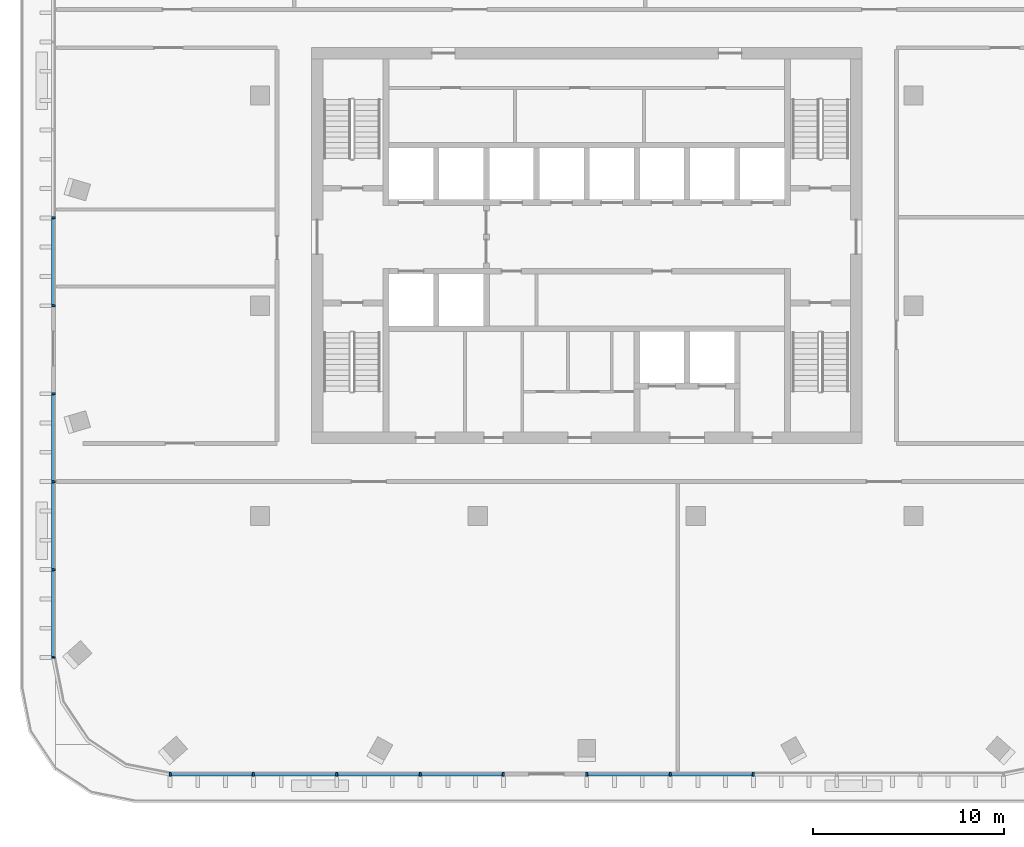
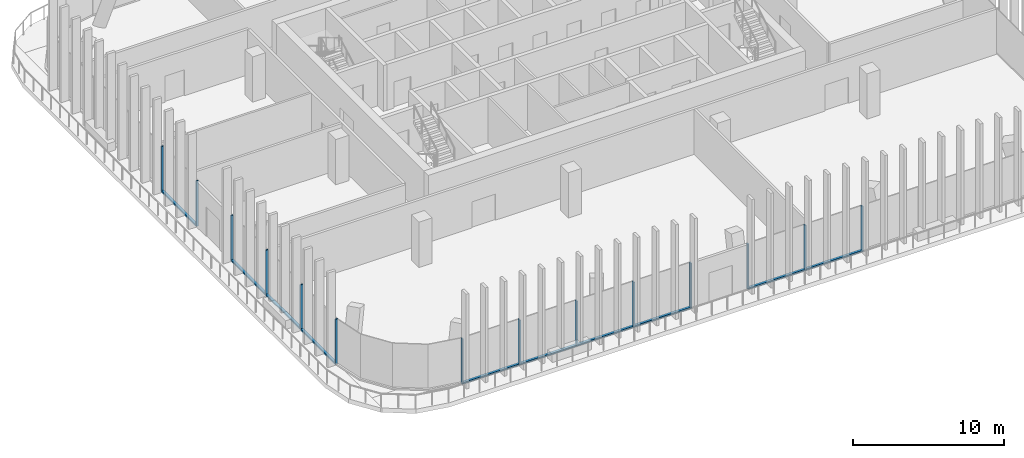
# One storey, part 2 of 16: 24 members, 4 elements without a shape of their own.
"""IFC4 building model written with IfcOpenShell, lengths in metres."""

from ifc_helpers import new_model, si_unit, direction, frame, origin, origin_2d, place, context, subcontext, project, spatial, rectangle, extrude, material, material_profile, profile_set, type_object, element, aggregate, save


model = new_model("IFC4")

# Units and contexts
model_context = context("Model", 3, precision=1e-05, world=origin(), true_north=direction((0.0, 1.0)))
body_context = subcontext(model_context, "Body", "Model", "MODEL_VIEW")
ifc_project = project(units=[si_unit("LENGTHUNIT", "METRE"), si_unit("AREAUNIT", "SQUARE_METRE"), si_unit("VOLUMEUNIT", "CUBIC_METRE"), si_unit("PLANEANGLEUNIT", "RADIAN"), si_unit("MASSUNIT", "GRAM", prefix="KILO")], contexts=[model_context])

# Site, building, storey
site_placement = place(None, origin())
site = spatial("IfcSite", under=ifc_project, at=site_placement, CompositionType="ELEMENT")
building_placement = place(site_placement, origin())
building = spatial("IfcBuilding", under=site, at=building_placement, Name="Mopane Tessera Tower", CompositionType="ELEMENT")
storey_placement = place(building_placement, frame((0.0, 0.0, 321.39990234375)))
storey = spatial("IfcBuildingStorey", under=building, at=storey_placement, Name="L70", CompositionType="ELEMENT", Elevation=321.39990234375)

# Curtain wall, members
ifc_material_1 = material(Name="Aluminium frame", Category="aluminium")
curtain_wall_type = type_object("IfcCurtainWallType", Name="Unitised curtain wall", PredefinedType="NOTDEFINED", material=ifc_material_1)
curtain_wall_1_placement = place(storey_placement, origin())
curtain_wall_1 = element("IfcCurtainWall", 1, at=curtain_wall_1_placement, inside=storey, type_object=curtain_wall_type, Name="e:cw:L70:S:0", PredefinedType="NOTDEFINED")
ifc_material_2 = material(Name="Aluminium frame", Category="aluminium")
ifc_material_profile_1 = material_profile(ifc_material_2, rectangle(XDim=0.10009765625, YDim=0.199951171875, at=origin_2d()))
ifc_profile_set_1 = profile_set([ifc_material_profile_1], Name="Aluminium frame")
member_type_1 = type_object("IfcMemberType", Name="Aluminium mullion 100 x 200", PredefinedType="MULLION", material=ifc_profile_set_1)
member_1_placement = place(storey_placement, frame((-21.800048828125, -24.5, 0.0), z_axis=(0.0, 0.0, 1.0), x_axis=(1.0, 0.0, 0.0)))
member_1 = element("IfcMember", 2, at=member_1_placement, type_object=member_type_1, Name="e:cw:L70:S:0:mu0", PredefinedType="MULLION", context=body_context, shape_type="SweptSolid", body=[
    extrude(rectangle(XDim=0.10009765625, YDim=0.199951171875, at=origin_2d()), origin(), (0.0, 0.0, 1.0), 3.650146484375),
])
member_2_placement = place(storey_placement, frame((-17.43994140625, -24.5, 0.0), z_axis=(0.0, 0.0, 1.0), x_axis=(1.0, 0.0, 0.0)))
member_2 = element("IfcMember", 3, at=member_2_placement, type_object=member_type_1, Name="e:cw:L70:S:0:mu1", PredefinedType="MULLION", context=body_context, shape_type="SweptSolid", body=[
    extrude(rectangle(XDim=0.10009765625, YDim=0.199951171875, at=origin_2d()), origin(), (0.0, 0.0, 1.0), 3.650146484375),
])
member_3_placement = place(storey_placement, frame((-13.080078125, -24.5, 0.0), z_axis=(0.0, 0.0, 1.0), x_axis=(1.0, 0.0, 0.0)))
member_3 = element("IfcMember", 4, at=member_3_placement, type_object=member_type_1, Name="e:cw:L70:S:0:mu2", PredefinedType="MULLION", context=body_context, shape_type="SweptSolid", body=[
    extrude(rectangle(XDim=0.10009765625, YDim=0.199951171875, at=origin_2d()), origin(), (0.0, 0.0, 1.0), 3.650146484375),
])
member_4_placement = place(storey_placement, frame((-8.719970703125, -24.5, 0.0), z_axis=(0.0, 0.0, 1.0), x_axis=(1.0, 0.0, 0.0)))
member_4 = element("IfcMember", 5, at=member_4_placement, type_object=member_type_1, Name="e:cw:L70:S:0:mu3", PredefinedType="MULLION", context=body_context, shape_type="SweptSolid", body=[
    extrude(rectangle(XDim=0.10009765625, YDim=0.199951171875, at=origin_2d()), origin(), (0.0, 0.0, 1.0), 3.650146484375),
])
member_5_placement = place(storey_placement, frame((-4.360107421875, -24.5, 0.0), z_axis=(0.0, 0.0, 1.0), x_axis=(1.0, 0.0, 0.0)))
member_5 = element("IfcMember", 6, at=member_5_placement, type_object=member_type_1, Name="e:cw:L70:S:0:mu4", PredefinedType="MULLION", context=body_context, shape_type="SweptSolid", body=[
    extrude(rectangle(XDim=0.10009765625, YDim=0.199951171875, at=origin_2d()), origin(), (0.0, 0.0, 1.0), 3.650146484375),
])

curtain_wall_2_placement = place(storey_placement, origin())
curtain_wall_2 = element("IfcCurtainWall", 7, at=curtain_wall_2_placement, inside=storey, type_object=curtain_wall_type, Name="e:cw:L70:S:5", PredefinedType="NOTDEFINED")
member_6_placement = place(storey_placement, frame((0.0, -24.5, 0.0), z_axis=(0.0, 0.0, 1.0), x_axis=(1.0, 0.0, 0.0)))
member_6 = element("IfcMember", 8, at=member_6_placement, type_object=member_type_1, Name="e:cw:L70:S:5:mu5", PredefinedType="MULLION", context=body_context, shape_type="SweptSolid", body=[
    extrude(rectangle(XDim=0.10009765625, YDim=0.199951171875, at=origin_2d()), origin(), (0.0, 0.0, 1.0), 3.650146484375),
])
member_7_placement = place(storey_placement, frame((4.360107421875, -24.5, 0.0), z_axis=(0.0, 0.0, 1.0), x_axis=(1.0, 0.0, 0.0)))
member_7 = element("IfcMember", 9, at=member_7_placement, type_object=member_type_1, Name="e:cw:L70:S:5:mu6", PredefinedType="MULLION", context=body_context, shape_type="SweptSolid", body=[
    extrude(rectangle(XDim=0.10009765625, YDim=0.199951171875, at=origin_2d()), origin(), (0.0, 0.0, 1.0), 3.650146484375),
])
member_8_placement = place(storey_placement, frame((8.719970703125, -24.5, 0.0), z_axis=(0.0, 0.0, 1.0), x_axis=(1.0, 0.0, 0.0)))
member_8 = element("IfcMember", 10, at=member_8_placement, type_object=member_type_1, Name="e:cw:L70:S:5:mu7", PredefinedType="MULLION", context=body_context, shape_type="SweptSolid", body=[
    extrude(rectangle(XDim=0.10009765625, YDim=0.199951171875, at=origin_2d()), origin(), (0.0, 0.0, 1.0), 3.650146484375),
])

curtain_wall_3_placement = place(storey_placement, origin())
curtain_wall_3 = element("IfcCurtainWall", 11, at=curtain_wall_3_placement, inside=storey, type_object=curtain_wall_type, Name="e:cw:L70:W:0", PredefinedType="NOTDEFINED")
member_9_placement = place(storey_placement, frame((-27.89990234375, 4.60009765625, 0.0), z_axis=(0.0, 0.0, 1.0), x_axis=(0.0, -1.0, 0.0)))
member_9 = element("IfcMember", 12, at=member_9_placement, type_object=member_type_1, Name="e:cw:L70:W:0:mu3", PredefinedType="MULLION", context=body_context, shape_type="SweptSolid", body=[
    extrude(rectangle(XDim=0.10009765625, YDim=0.199951171875, at=origin_2d()), origin(), (0.0, 0.0, 1.0), 3.650146484375),
])
member_10_placement = place(storey_placement, frame((-27.89990234375, 0.0, 0.0), z_axis=(0.0, 0.0, 1.0), x_axis=(0.0, -1.0, 0.0)))
member_10 = element("IfcMember", 13, at=member_10_placement, type_object=member_type_1, Name="e:cw:L70:W:0:mu4", PredefinedType="MULLION", context=body_context, shape_type="SweptSolid", body=[
    extrude(rectangle(XDim=0.10009765625, YDim=0.199951171875, at=origin_2d()), origin(), (0.0, 0.0, 1.0), 3.650146484375),
])

curtain_wall_4_placement = place(storey_placement, origin())
curtain_wall_4 = element("IfcCurtainWall", 14, at=curtain_wall_4_placement, inside=storey, type_object=curtain_wall_type, Name="e:cw:L70:W:5", PredefinedType="NOTDEFINED")
member_11_placement = place(storey_placement, frame((-27.89990234375, -4.60009765625, 0.0), z_axis=(0.0, 0.0, 1.0), x_axis=(0.0, -1.0, 0.0)))
member_11 = element("IfcMember", 15, at=member_11_placement, type_object=member_type_1, Name="e:cw:L70:W:5:mu5", PredefinedType="MULLION", context=body_context, shape_type="SweptSolid", body=[
    extrude(rectangle(XDim=0.10009765625, YDim=0.199951171875, at=origin_2d()), origin(), (0.0, 0.0, 1.0), 3.650146484375),
])
member_12_placement = place(storey_placement, frame((-27.89990234375, -9.199951171875, 0.0), z_axis=(0.0, 0.0, 1.0), x_axis=(0.0, -1.0, 0.0)))
member_12 = element("IfcMember", 16, at=member_12_placement, type_object=member_type_1, Name="e:cw:L70:W:5:mu6", PredefinedType="MULLION", context=body_context, shape_type="SweptSolid", body=[
    extrude(rectangle(XDim=0.10009765625, YDim=0.199951171875, at=origin_2d()), origin(), (0.0, 0.0, 1.0), 3.650146484375),
])
member_13_placement = place(storey_placement, frame((-27.89990234375, -13.800048828125, 0.0), z_axis=(0.0, 0.0, 1.0), x_axis=(0.0, -1.0, 0.0)))
member_13 = element("IfcMember", 17, at=member_13_placement, type_object=member_type_1, Name="e:cw:L70:W:5:mu7", PredefinedType="MULLION", context=body_context, shape_type="SweptSolid", body=[
    extrude(rectangle(XDim=0.10009765625, YDim=0.199951171875, at=origin_2d()), origin(), (0.0, 0.0, 1.0), 3.650146484375),
])
member_14_placement = place(storey_placement, frame((-27.89990234375, -18.39990234375, 0.0), z_axis=(0.0, 0.0, 1.0), x_axis=(0.0, -1.0, 0.0)))
member_14 = element("IfcMember", 18, at=member_14_placement, type_object=member_type_1, Name="e:cw:L70:W:5:mu8", PredefinedType="MULLION", context=body_context, shape_type="SweptSolid", body=[
    extrude(rectangle(XDim=0.10009765625, YDim=0.199951171875, at=origin_2d()), origin(), (0.0, 0.0, 1.0), 3.650146484375),
])

# Member
ifc_material_3 = material(Name="Aluminium frame", Category="aluminium")
ifc_material_profile_2 = material_profile(ifc_material_3, rectangle(XDim=0.199951171875, YDim=0.1201171875, at=origin_2d()))
ifc_profile_set_2 = profile_set([ifc_material_profile_2], Name="Aluminium frame")
member_type_2 = type_object("IfcMemberType", Name="Aluminium transom 200 x 120", PredefinedType="USERDEFINED", material=ifc_profile_set_2)
member_15_placement = place(storey_placement, frame((-21.75, -24.5, 0.06005859375), z_axis=(1.0, 0.0, 0.0), x_axis=(0.0, 1.0, 0.0)))
member_15 = element("IfcMember", 19, at=member_15_placement, type_object=member_type_2, Name="e:cw:L70:S:0:tr0", ObjectType="TRANSOM", PredefinedType="USERDEFINED", context=body_context, shape_type="SweptSolid", body=[
    extrude(rectangle(XDim=0.199951171875, YDim=0.1201171875, at=origin_2d()), origin(), (0.0, 0.0, 1.0), 4.260009765625),
])

member_16_placement = place(storey_placement, frame((-17.389892578125, -24.5, 0.06005859375), z_axis=(1.0, 0.0, 0.0), x_axis=(0.0, 1.0, 0.0)))
member_16 = element("IfcMember", 20, at=member_16_placement, type_object=member_type_2, Name="e:cw:L70:S:0:tr1", ObjectType="TRANSOM", PredefinedType="USERDEFINED", context=body_context, shape_type="SweptSolid", body=[
    extrude(rectangle(XDim=0.199951171875, YDim=0.1201171875, at=origin_2d()), origin(), (0.0, 0.0, 1.0), 4.260009765625),
])

member_17_placement = place(storey_placement, frame((-13.030029296875, -24.5, 0.06005859375), z_axis=(1.0, 0.0, 0.0), x_axis=(0.0, 1.0, 0.0)))
member_17 = element("IfcMember", 21, at=member_17_placement, type_object=member_type_2, Name="e:cw:L70:S:0:tr2", ObjectType="TRANSOM", PredefinedType="USERDEFINED", context=body_context, shape_type="SweptSolid", body=[
    extrude(rectangle(XDim=0.199951171875, YDim=0.1201171875, at=origin_2d()), origin(), (0.0, 0.0, 1.0), 4.260009765625),
])

member_18_placement = place(storey_placement, frame((-8.669921875, -24.5, 0.06005859375), z_axis=(1.0, 0.0, 0.0), x_axis=(0.0, 1.0, 0.0)))
member_18 = element("IfcMember", 22, at=member_18_placement, type_object=member_type_2, Name="e:cw:L70:S:0:tr3", ObjectType="TRANSOM", PredefinedType="USERDEFINED", context=body_context, shape_type="SweptSolid", body=[
    extrude(rectangle(XDim=0.199951171875, YDim=0.1201171875, at=origin_2d()), origin(), (0.0, 0.0, 1.0), 4.260009765625),
])

aggregate(curtain_wall_1, [member_1, member_2, member_3, member_4, member_5, member_15, member_16, member_17, member_18])

member_19_placement = place(storey_placement, frame((0.050048828125, -24.5, 0.06005859375), z_axis=(1.0, 0.0, 0.0), x_axis=(0.0, 1.0, 0.0)))
member_19 = element("IfcMember", 23, at=member_19_placement, type_object=member_type_2, Name="e:cw:L70:S:5:tr5", ObjectType="TRANSOM", PredefinedType="USERDEFINED", context=body_context, shape_type="SweptSolid", body=[
    extrude(rectangle(XDim=0.199951171875, YDim=0.1201171875, at=origin_2d()), origin(), (0.0, 0.0, 1.0), 4.260009765625),
])

member_20_placement = place(storey_placement, frame((4.409912109375, -24.5, 0.06005859375), z_axis=(1.0, 0.0, 0.0), x_axis=(0.0, 1.0, 0.0)))
member_20 = element("IfcMember", 24, at=member_20_placement, type_object=member_type_2, Name="e:cw:L70:S:5:tr6", ObjectType="TRANSOM", PredefinedType="USERDEFINED", context=body_context, shape_type="SweptSolid", body=[
    extrude(rectangle(XDim=0.199951171875, YDim=0.1201171875, at=origin_2d()), origin(), (0.0, 0.0, 1.0), 4.260009765625),
])

aggregate(curtain_wall_2, [member_6, member_7, member_8, member_19, member_20])

member_21_placement = place(storey_placement, frame((-27.89990234375, 4.550048828125, 0.06005859375), z_axis=(0.0, -1.0, 0.0), x_axis=(1.0, 0.0, 0.0)))
member_21 = element("IfcMember", 25, at=member_21_placement, type_object=member_type_2, Name="e:cw:L70:W:0:tr3", ObjectType="TRANSOM", PredefinedType="USERDEFINED", context=body_context, shape_type="SweptSolid", body=[
    extrude(rectangle(XDim=0.199951171875, YDim=0.1201171875, at=origin_2d()), origin(), (0.0, 0.0, 1.0), 4.5),
])

aggregate(curtain_wall_3, [member_9, member_10, member_21])

member_22_placement = place(storey_placement, frame((-27.89990234375, -4.64990234375, 0.06005859375), z_axis=(0.0, -1.0, 0.0), x_axis=(1.0, 0.0, 0.0)))
member_22 = element("IfcMember", 26, at=member_22_placement, type_object=member_type_2, Name="e:cw:L70:W:5:tr5", ObjectType="TRANSOM", PredefinedType="USERDEFINED", context=body_context, shape_type="SweptSolid", body=[
    extrude(rectangle(XDim=0.199951171875, YDim=0.1201171875, at=origin_2d()), origin(), (0.0, 0.0, 1.0), 4.5),
])

member_23_placement = place(storey_placement, frame((-27.89990234375, -9.25, 0.06005859375), z_axis=(0.0, -1.0, 0.0), x_axis=(1.0, 0.0, 0.0)))
member_23 = element("IfcMember", 27, at=member_23_placement, type_object=member_type_2, Name="e:cw:L70:W:5:tr6", ObjectType="TRANSOM", PredefinedType="USERDEFINED", context=body_context, shape_type="SweptSolid", body=[
    extrude(rectangle(XDim=0.199951171875, YDim=0.1201171875, at=origin_2d()), origin(), (0.0, 0.0, 1.0), 4.5),
])

member_24_placement = place(storey_placement, frame((-27.89990234375, -13.85009765625, 0.06005859375), z_axis=(0.0, -1.0, 0.0), x_axis=(1.0, 0.0, 0.0)))
member_24 = element("IfcMember", 28, at=member_24_placement, type_object=member_type_2, Name="e:cw:L70:W:5:tr7", ObjectType="TRANSOM", PredefinedType="USERDEFINED", context=body_context, shape_type="SweptSolid", body=[
    extrude(rectangle(XDim=0.199951171875, YDim=0.1201171875, at=origin_2d()), origin(), (0.0, 0.0, 1.0), 4.5),
])

aggregate(curtain_wall_4, [member_11, member_12, member_13, member_14, member_22, member_23, member_24])

save(model, "model.ifc")
